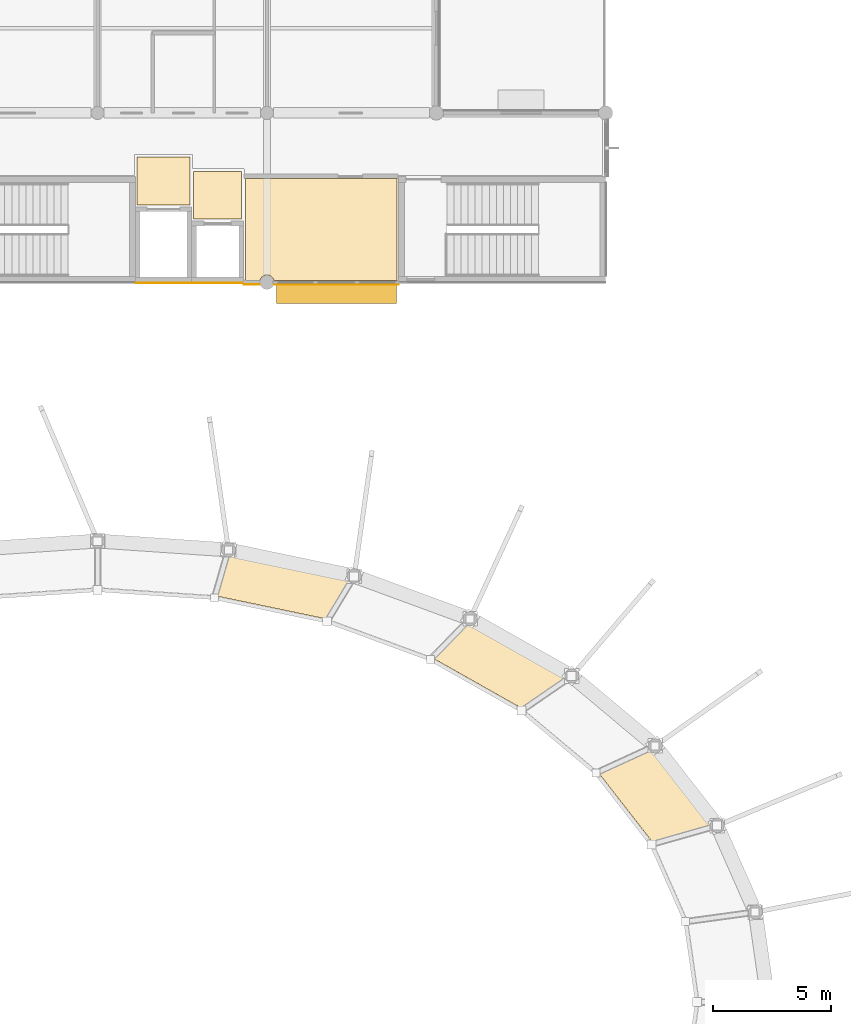
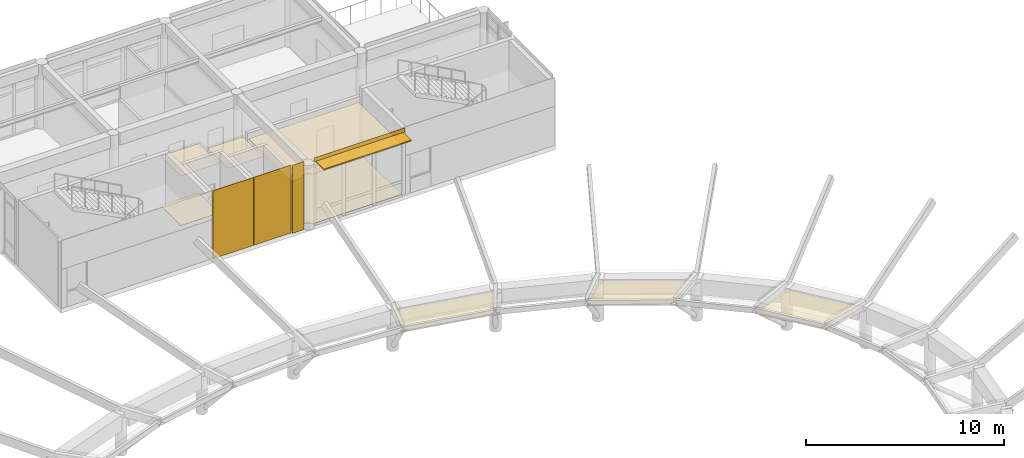
# One storey, part 34 of 37: 13 coverings, 1 shading device.
"""IFC4 building model written with IfcOpenShell, lengths in metres."""

from ifc_helpers import new_model, si_unit, direction, frame, origin, origin_2d, place, context, subcontext, project, spatial, polyline, rectangle, outline, extrude, material, layer, layer_set, type_object, element, save


model = new_model("IFC4")

# Units and contexts
model_context = context("Model", 3, precision=1e-05, world=origin(), true_north=direction((0.0, 1.0)))
body_context = subcontext(model_context, "Body", "Model", "MODEL_VIEW")
ifc_project = project(units=[si_unit("LENGTHUNIT", "METRE"), si_unit("AREAUNIT", "SQUARE_METRE"), si_unit("VOLUMEUNIT", "CUBIC_METRE"), si_unit("PLANEANGLEUNIT", "RADIAN"), si_unit("MASSUNIT", "GRAM", prefix="KILO")], contexts=[model_context])

# Site, building, storey
site_placement = place(None, origin())
site = spatial("IfcSite", under=ifc_project, at=site_placement, CompositionType="ELEMENT")
building_placement = place(site_placement, origin())
building = spatial("IfcBuilding", under=site, at=building_placement, Name="Namkhue Oval Health Centre", CompositionType="ELEMENT")
storey_placement = place(building_placement, frame((0.0, 0.0, 22.199951171875)))
storey = spatial("IfcBuildingStorey", under=building, at=storey_placement, Name="L05", CompositionType="ELEMENT", Elevation=22.199951171875)

# Coverings
ifc_material_1 = material(Name="Acoustic mineral-fibre cleanroom ceiling", Category="gypsum")
ifc_layer_1 = layer(ifc_material_1, 0.02001953125)
ifc_layer_set_1 = layer_set([ifc_layer_1], Name="Acoustic mineral-fibre cleanroom ceiling")
covering_type_1 = type_object("IfcCoveringType", Name="ACOUSTIC CLEANROOM CEILING 20", PredefinedType="CEILING", material=ifc_layer_set_1)
covering_1_placement = place(storey_placement, frame((0.0, 0.0, 3.050048828125)))
element("IfcCovering", 1, at=covering_1_placement, inside=storey, type_object=covering_type_1, Name="Acoustic Ceiling L05-LL3 Lift Lobby LF-03", PredefinedType="CEILING", context=body_context, shape_type="SweptSolid", body=[
    extrude(outline(polyline([(102.47998046875, 93.280029296875), (102.47998046875, 95.320068359375), (104.719970703125, 95.320068359375), (104.719970703125, 93.280029296875), (102.47998046875, 93.280029296875)])), origin(), (0.0, 0.0, 1.0), 0.02001953125),
])
covering_2_placement = place(storey_placement, frame((0.0, 0.0, 3.050048828125)))
element("IfcCovering", 2, at=covering_2_placement, inside=storey, type_object=covering_type_1, Name="Acoustic Ceiling L05-LL4 Lift Lobby LF-04", PredefinedType="CEILING", context=body_context, shape_type="SweptSolid", body=[
    extrude(outline(polyline([(104.8798828125, 92.679931640625), (104.8798828125, 94.719970703125), (106.919921875, 94.719970703125), (106.919921875, 92.679931640625), (104.8798828125, 92.679931640625)])), origin(), (0.0, 0.0, 1.0), 0.02001953125),
])
covering_3_placement = place(storey_placement, frame((0.0, 0.0, 3.050048828125)))
element("IfcCovering", 3, at=covering_3_placement, inside=storey, type_object=covering_type_1, Name="Acoustic Ceiling L05-306 Clinical Governance Boardroom", PredefinedType="CEILING", context=body_context, shape_type="SweptSolid", body=[
    extrude(outline(polyline([(108.297607421875, 90.0849609375), (108.2685546875, 90.155029296875), (108.21923828125, 90.21923828125), (108.155029296875, 90.2685546875), (108.080078125, 90.29931640625), (108.0, 90.31005859375), (107.919921875, 90.29931640625), (107.844970703125, 90.2685546875), (107.78076171875, 90.21923828125), (107.7314453125, 90.155029296875), (107.702392578125, 90.0849609375), (107.080078125, 90.0849609375), (107.080078125, 94.419921875), (113.52001953125, 94.419921875), (113.52001953125, 90.0849609375), (108.297607421875, 90.0849609375)])), origin(), (0.0, 0.0, 1.0), 0.02001953125),
])
ifc_material_2 = material(Name="Homogeneous anti-bacterial clinical vinyl flooring", Category="plastic")
ifc_layer_2 = layer(ifc_material_2, 0.014892578125)
ifc_layer_set_2 = layer_set([ifc_layer_2], Name="Homogeneous anti-bacterial clinical vinyl flooring")
covering_type_2 = type_object("IfcCoveringType", Name="CLINICAL ANTIBACTERIAL VINYL FLOORING 15", PredefinedType="FLOORING", material=ifc_layer_set_2)
covering_4_placement = place(storey_placement, origin())
element("IfcCovering", 4, at=covering_4_placement, inside=storey, type_object=covering_type_2, Name="Clinical Flooring L05-LL3 Lift Lobby LF-03", PredefinedType="FLOORING", context=body_context, shape_type="SweptSolid", body=[
    extrude(outline(polyline([(102.47998046875, 93.280029296875), (102.47998046875, 95.320068359375), (104.719970703125, 95.320068359375), (104.719970703125, 93.280029296875), (102.47998046875, 93.280029296875)])), origin(), (0.0, 0.0, 1.0), 0.01513671875),
])
covering_5_placement = place(storey_placement, origin())
element("IfcCovering", 5, at=covering_5_placement, inside=storey, type_object=covering_type_2, Name="Clinical Flooring L05-LL4 Lift Lobby LF-04", PredefinedType="FLOORING", context=body_context, shape_type="SweptSolid", body=[
    extrude(outline(polyline([(104.8798828125, 92.679931640625), (104.8798828125, 94.719970703125), (106.919921875, 94.719970703125), (106.919921875, 92.679931640625), (104.8798828125, 92.679931640625)])), origin(), (0.0, 0.0, 1.0), 0.01513671875),
])
covering_6_placement = place(storey_placement, origin())
element("IfcCovering", 6, at=covering_6_placement, inside=storey, type_object=covering_type_2, Name="Clinical Flooring L05-306 Clinical Governance Boardroom", PredefinedType="FLOORING", context=body_context, shape_type="SweptSolid", body=[
    extrude(outline(polyline([(108.297607421875, 90.0849609375), (108.2685546875, 90.155029296875), (108.21923828125, 90.21923828125), (108.155029296875, 90.2685546875), (108.080078125, 90.29931640625), (108.0, 90.31005859375), (107.919921875, 90.29931640625), (107.844970703125, 90.2685546875), (107.78076171875, 90.21923828125), (107.7314453125, 90.155029296875), (107.702392578125, 90.0849609375), (107.080078125, 90.0849609375), (107.080078125, 94.419921875), (113.52001953125, 94.419921875), (113.52001953125, 90.0849609375), (108.297607421875, 90.0849609375)])), origin(), (0.0, 0.0, 1.0), 0.01513671875),
])

# Shading device
ifc_material_3 = material(Name="Anodised aluminium EN AW-6063 T6", Category="aluminium")
ifc_layer_3 = layer(ifc_material_3, 0.06005859375)
ifc_layer_set_3 = layer_set([ifc_layer_3], Name="Anodised aluminium EN AW-6063 T6")
shading_device_type = type_object("IfcShadingDeviceType", Name="MONSOON SUN LOUVRE 900", PredefinedType="JALOUSIE", material=ifc_layer_set_3)
shading_device_placement = place(storey_placement, frame((110.946533203125, 89.550048828125, 3.89990234375), z_axis=(0.0, 0.0, 1.0), x_axis=(1.0, 0.0, 0.0)))
element("IfcShadingDevice", 7, at=shading_device_placement, inside=storey, type_object=shading_device_type, Name="Volume V3 L05 Horizontal Monsoon Sun Louvre 172", PredefinedType="JALOUSIE", context=body_context, shape_type="SweptSolid", body=[
    extrude(rectangle(XDim=5.10302734375, YDim=0.89990234375, at=origin_2d()), origin(), (0.0, 0.0, 1.0), 0.06005859375),
])

# Coverings
ifc_material_4 = material(Name="Slatted FSC timber acoustic soffit lining", Category="wood")
ifc_layer_4 = layer(ifc_material_4, 0.0400390625)
ifc_layer_set_4 = layer_set([ifc_layer_4], Name="Slatted FSC timber acoustic soffit lining")
covering_type_3 = type_object("IfcCoveringType", Name="SLATTED TIMBER SOFFIT CEILING 40", PredefinedType="CEILING", material=ifc_layer_set_4)
covering_7_placement = place(storey_placement, frame((127.0205078125, 66.91064453125, 2.4013671875), z_axis=(0.011728895373, 0.009118420332, 0.999889637622), x_axis=(-0.613795334446, 0.789465190754, 4.65863e-07)))
element("IfcCovering", 8, at=covering_7_placement, inside=storey, type_object=covering_type_3, Name="Gridshell Canopy Slatted Timber Soffit K6-3", PredefinedType="CEILING", context=body_context, shape_type="SweptSolid", body=[
    extrude(outline(polyline([(0.0, 0.0), (4.188765789993292, -4.440892098500626e-16), (4.778240320913588, 2.5141550739281944), (1.013956869519586, 2.5144044635968648), (0.0, 0.0)])), origin(), (0.0, 0.0, -1.0), 0.0400390625),
])
covering_8_placement = place(storey_placement, frame((120.837890625, 73.22705078125, 2.401611328125), z_axis=(0.008419326636, 0.014923457333, 0.999853191904), x_axis=(-0.870961896566, 0.491350561952, 2.63586e-07)))
element("IfcCovering", 9, at=covering_8_placement, inside=storey, type_object=covering_type_3, Name="Gridshell Canopy Slatted Timber Soffit K6-5", PredefinedType="CEILING", context=body_context, shape_type="SweptSolid", body=[
    extrude(outline(polyline([(0.0, 0.0), (4.850509971667218, 0.0), (5.4169463757684815, 2.151424535578403), (1.0521362248472401, 2.151566297461753), (0.0, 0.0)])), origin(), (0.0, 0.0, -1.0), 0.0400390625),
])
covering_9_placement = place(storey_placement, frame((111.618408203125, 77.437255859375, 2.40185546875), z_axis=(0.00383411698, 0.018385555306, 0.999823619897), x_axis=(-0.978937138904, 0.204161891828, -2.70295e-07)))
element("IfcCovering", 10, at=covering_9_placement, inside=storey, type_object=covering_type_3, Name="Gridshell Canopy Slatted Timber Soffit K6-7", PredefinedType="CEILING", context=body_context, shape_type="SweptSolid", body=[
    extrude(outline(polyline([(0.0, 0.0), (5.352484741937324, 2.220446049250313e-16), (5.500000561392977, 1.9369723677568262), (0.6777570883231075, 1.9368259344538024), (0.0, 0.0)])), origin(), (0.0, 0.0, -1.0), 0.0400390625),
])
ifc_material_5 = material(Name="White glass-fibre reinforced concrete GRC rainscreen cladding", Category="concrete")
ifc_layer_5 = layer(ifc_material_5, 0.02490234375)
ifc_layer_set_5 = layer_set([ifc_layer_5], Name="White glass-fibre reinforced concrete GRC rainscreen cladding")
covering_type_4 = type_object("IfcCoveringType", Name="WHITE GRC RAINSCREEN CLADDING 25", PredefinedType="CLADDING", material=ifc_layer_set_5)
covering_10_placement = place(storey_placement, frame((107.353515625, 89.89794921875, 0.01025390625), z_axis=(0.0, 0.0, 1.0), x_axis=(1.0, 0.0, 0.0)))
element("IfcCovering", 11, at=covering_10_placement, inside=storey, type_object=covering_type_4, Name="Volume V3 L05 Facade 81 White GRC Cladding 1", PredefinedType="CLADDING", context=body_context, shape_type="SweptSolid", body=[
    extrude(rectangle(XDim=0.6630859375, YDim=0.02490234375, at=origin_2d()), origin(), (0.0, 0.0, 1.0), 4.179931640625),
])
covering_11_placement = place(storey_placement, frame((110.946533203125, 89.91162109375, 3.955078125), z_axis=(0.0, 0.0, 1.0), x_axis=(1.0, 0.0, 0.0)))
element("IfcCovering", 12, at=covering_11_placement, inside=storey, type_object=covering_type_4, Name="Volume V3 L05 Curtain Wall Spandrel Cladding 130", PredefinedType="CLADDING", context=body_context, shape_type="SweptSolid", body=[
    extrude(rectangle(XDim=5.29296875, YDim=0.02490234375, at=origin_2d()), origin(), (0.0, 0.0, 1.0), 0.2451171875),
])
covering_12_placement = place(storey_placement, frame((103.60009765625, 89.962890625, 0.01025390625), z_axis=(0.0, 0.0, 1.0), x_axis=(1.0, 0.0, 0.0)))
element("IfcCovering", 13, at=covering_12_placement, inside=storey, type_object=covering_type_4, Name="Lift LF-03 L05 S White GRC Cladding 1", PredefinedType="CLADDING", context=body_context, shape_type="SweptSolid", body=[
    extrude(rectangle(XDim=2.360107421875, YDim=0.02490234375, at=origin_2d()), origin(), (0.0, 0.0, 1.0), 4.179931640625),
])
covering_13_placement = place(storey_placement, frame((105.89990234375, 89.962890625, 0.01025390625), z_axis=(0.0, 0.0, 1.0), x_axis=(1.0, 0.0, 0.0)))
element("IfcCovering", 14, at=covering_13_placement, inside=storey, type_object=covering_type_4, Name="Lift LF-04 L05 S White GRC Cladding 1", PredefinedType="CLADDING", context=body_context, shape_type="SweptSolid", body=[
    extrude(rectangle(XDim=2.159912109375, YDim=0.02490234375, at=origin_2d()), origin(), (0.0, 0.0, 1.0), 4.179931640625),
])

save(model, "model.ifc")
